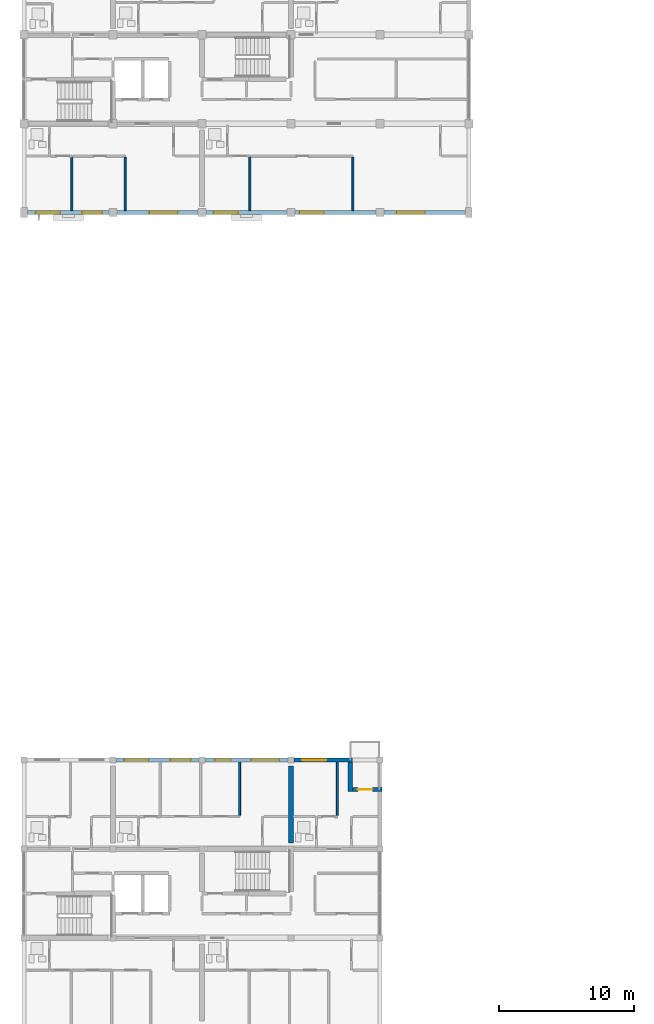
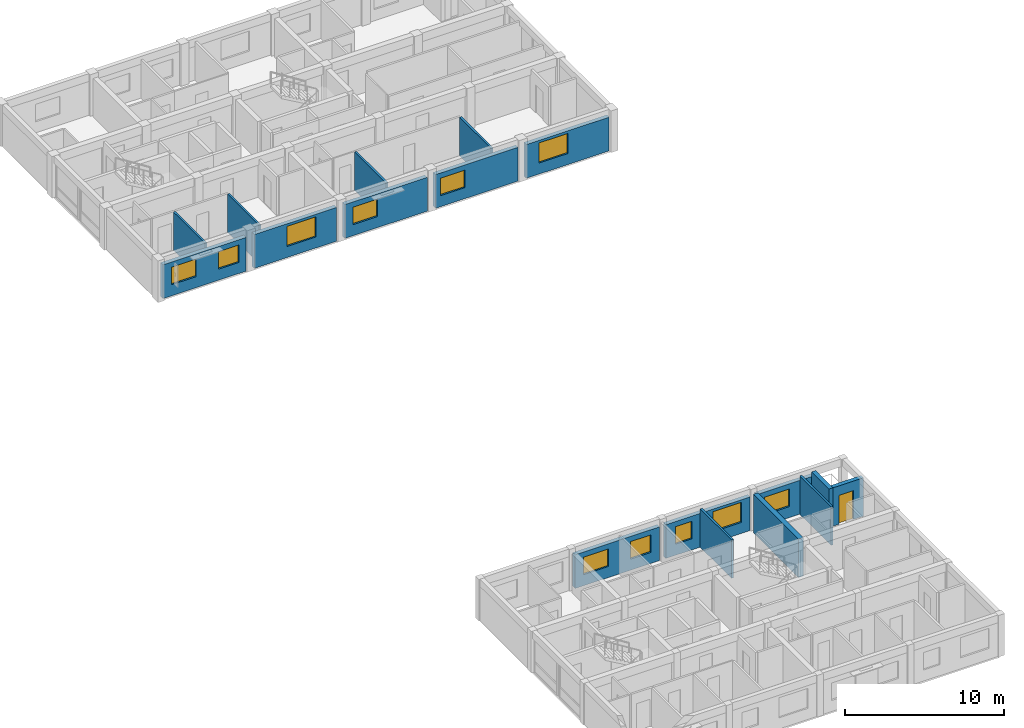
# One storey, part 29 of 52: 17 walls, 11 windows, 1 door, 12 openings.
"""IFC4 building model written with IfcOpenShell, lengths in metres."""

from ifc_helpers import new_model, si_unit, direction, frame, frame_2d, origin, place, context, subcontext, project, spatial, rectangle, extrude, material, layer, layer_set, type_object, element, fill, save


model = new_model("IFC4")

# Units and contexts
model_context = context("Model", 3, precision=1e-05, world=origin(), true_north=direction((0.0, 1.0)))
body_context = subcontext(model_context, "Body", "Model", "MODEL_VIEW")
ifc_project = project(units=[si_unit("LENGTHUNIT", "METRE"), si_unit("AREAUNIT", "SQUARE_METRE"), si_unit("VOLUMEUNIT", "CUBIC_METRE"), si_unit("PLANEANGLEUNIT", "RADIAN"), si_unit("MASSUNIT", "GRAM", prefix="KILO")], contexts=[model_context])

# Site, building, storey
site_placement = place(None, origin())
site = spatial("IfcSite", under=ifc_project, at=site_placement, CompositionType="ELEMENT")
building_placement = place(site_placement, origin())
building = spatial("IfcBuilding", under=site, at=building_placement, Name="Kernevlak Ridge Housing Community", CompositionType="ELEMENT")
storey_placement = place(building_placement, frame((0.0, 0.0, 11.60009765625)))
storey = spatial("IfcBuildingStorey", under=building, at=storey_placement, Name="L03", CompositionType="ELEMENT", Elevation=11.60009765625)

# Wall, openings, windows
ifc_material_1 = material(Name="Concrete block masonry M10", Category="masonry")
ifc_layer_1 = layer(ifc_material_1, 0.300048828125, Name="Concrete block masonry M10")
ifc_layer_set_1 = layer_set([ifc_layer_1], Name="Concrete block masonry M10")
wall_type_1 = type_object("IfcWallType", Name="EW-01", PredefinedType="STANDARD", material=ifc_layer_set_1)
wall_1_placement = place(storey_placement, frame((15.85009765625, 76.0, 0.0), z_axis=(0.0, 0.0, 1.0), x_axis=(1.0, 0.0, 0.0)))
wall_1 = element("IfcWall", 1, at=wall_1_placement, inside=storey, type_object=wall_type_1, Name="Exterior wall EW-01 L03 45", PredefinedType="STANDARD", context=body_context, shape_type="SweptSolid", body=[
    extrude(rectangle(XDim=6.0498046875, YDim=0.300048828125, at=frame_2d((3.02490234375, 0.0))), origin(), (0.0, 0.0, 1.0), 2.599853515625),
])
opening_1_placement = place(wall_1_placement, frame((0.625, 0.0, 0.85009765625)))
opening_1 = element("IfcOpeningElement", 2, at=opening_1_placement, cuts=wall_1, Name="Opening WT-03", PredefinedType="OPENING", context=body_context, shape_type="SweptSolid", body=[
    extrude(rectangle(XDim=1.800048828125, YDim=1.35009765625, at=frame_2d((0.89990234375, 0.675048828125))), frame((0.0, 0.159912109375, 0.0), z_axis=(0.0, -1.0, 0.0), x_axis=(1.0, 0.0, 0.0)), (0.0, 0.0, 1.0), 0.320068359375),
])
opening_2_placement = place(wall_1_placement, frame((4.050048828125, 0.0, 0.85009765625)))
opening_2 = element("IfcOpeningElement", 3, at=opening_2_placement, cuts=wall_1, Name="Opening WT-02", PredefinedType="OPENING", context=body_context, shape_type="SweptSolid", body=[
    extrude(rectangle(XDim=1.5, YDim=1.35009765625, at=frame_2d((0.75, 0.675048828125))), frame((0.0, 0.159912109375, 0.0), z_axis=(0.0, -1.0, 0.0), x_axis=(1.0, 0.0, 0.0)), (0.0, 0.0, 1.0), 0.320068359375),
])
ifc_material_2 = material(Name="Aluminium EN AW-6060 anodised and laminated glass", Category="aluminium")
window_type_1 = type_object("IfcWindowType", Name="WT-02", PartitioningType="SINGLE_PANEL", PredefinedType="WINDOW", material=ifc_material_2)
window_1_placement = place(opening_2_placement, origin())
window_1 = element("IfcWindow", 4, at=window_1_placement, inside=storey, type_object=window_type_1, Name="Window WT-02 L03 34", OverallHeight=1.35009765625, OverallWidth=1.5, PartitioningType="SINGLE_PANEL", PredefinedType="WINDOW", context=body_context, shape_type="SweptSolid", body=[
    extrude(rectangle(XDim=1.5, YDim=1.35009765625, at=frame_2d((0.75, 0.675048828125))), frame((0.0, 0.030029296875, 0.0), z_axis=(0.0, -1.0, 0.0), x_axis=(1.0, 0.0, 0.0)), (0.0, 0.0, 1.0), 0.06005859375),
])
fill(opening_2, window_1)
window_type_2 = type_object("IfcWindowType", Name="WT-03", PartitioningType="SINGLE_PANEL", PredefinedType="WINDOW", material=ifc_material_2)
window_2_placement = place(opening_1_placement, origin())
window_2 = element("IfcWindow", 5, at=window_2_placement, inside=storey, type_object=window_type_2, Name="Window WT-03 L03 33", OverallHeight=1.35009765625, OverallWidth=1.800048828125, PartitioningType="SINGLE_PANEL", PredefinedType="WINDOW", context=body_context, shape_type="SweptSolid", body=[
    extrude(rectangle(XDim=1.800048828125, YDim=1.35009765625, at=frame_2d((0.89990234375, 0.675048828125))), frame((0.0, 0.030029296875, 0.0), z_axis=(0.0, -1.0, 0.0), x_axis=(1.0, 0.0, 0.0)), (0.0, 0.0, 1.0), 0.06005859375),
])
fill(opening_1, window_2)

# Wall, opening, window
wall_2_placement = place(storey_placement, frame((22.5, 76.0, 0.0), z_axis=(0.0, 0.0, 1.0), x_axis=(1.0, 0.0, 0.0)))
wall_2 = element("IfcWall", 6, at=wall_2_placement, inside=storey, type_object=wall_type_1, Name="Exterior wall EW-01 L03 46", PredefinedType="STANDARD", context=body_context, shape_type="SweptSolid", body=[
    extrude(rectangle(XDim=6.0, YDim=0.300048828125, at=frame_2d((3.0, 0.0))), origin(), (0.0, 0.0, 1.0), 2.599853515625),
])
opening_3_placement = place(wall_2_placement, frame((2.39599609375, 0.0, 0.85009765625)))
opening_3 = element("IfcOpeningElement", 7, at=opening_3_placement, cuts=wall_2, Name="Opening WT-05", PredefinedType="OPENING", context=body_context, shape_type="SweptSolid", body=[
    extrude(rectangle(XDim=2.10009765625, YDim=1.550048828125, at=frame_2d((1.050048828125, 0.77490234375))), frame((0.0, 0.159912109375, 0.0), z_axis=(0.0, -1.0, 0.0), x_axis=(1.0, 0.0, 0.0)), (0.0, 0.0, 1.0), 0.320068359375),
])
window_type_3 = type_object("IfcWindowType", Name="WT-05", PartitioningType="SINGLE_PANEL", PredefinedType="WINDOW", material=ifc_material_2)
window_3_placement = place(opening_3_placement, origin())
window_3 = element("IfcWindow", 8, at=window_3_placement, inside=storey, type_object=window_type_3, Name="Window WT-05 L03 35", OverallHeight=1.550048828125, OverallWidth=2.10009765625, PartitioningType="SINGLE_PANEL", PredefinedType="WINDOW", context=body_context, shape_type="SweptSolid", body=[
    extrude(rectangle(XDim=2.10009765625, YDim=1.550048828125, at=frame_2d((1.050048828125, 0.77490234375))), frame((0.0, 0.030029296875, 0.0), z_axis=(0.0, -1.0, 0.0), x_axis=(1.0, 0.0, 0.0)), (0.0, 0.0, 1.0), 0.06005859375),
])
fill(opening_3, window_3)

wall_3_placement = place(storey_placement, frame((29.10009765625, 76.0, 0.0), z_axis=(0.0, 0.0, 1.0), x_axis=(1.0, 0.0, 0.0)))
wall_3 = element("IfcWall", 9, at=wall_3_placement, inside=storey, type_object=wall_type_1, Name="Exterior wall EW-01 L03 47", PredefinedType="STANDARD", context=body_context, shape_type="SweptSolid", body=[
    extrude(rectangle(XDim=6.0, YDim=0.300048828125, at=frame_2d((3.0, 0.0))), origin(), (0.0, 0.0, 1.0), 2.599853515625),
])
opening_4_placement = place(wall_3_placement, frame((0.574951171875, 0.0, 0.85009765625)))
opening_4 = element("IfcOpeningElement", 10, at=opening_4_placement, cuts=wall_3, Name="Opening WT-03", PredefinedType="OPENING", context=body_context, shape_type="SweptSolid", body=[
    extrude(rectangle(XDim=1.800048828125, YDim=1.35009765625, at=frame_2d((0.89990234375, 0.675048828125))), frame((0.0, 0.159912109375, 0.0), z_axis=(0.0, -1.0, 0.0), x_axis=(1.0, 0.0, 0.0)), (0.0, 0.0, 1.0), 0.320068359375),
])
window_4_placement = place(opening_4_placement, origin())
window_4 = element("IfcWindow", 11, at=window_4_placement, inside=storey, type_object=window_type_2, Name="Window WT-03 L03 36", OverallHeight=1.35009765625, OverallWidth=1.800048828125, PartitioningType="SINGLE_PANEL", PredefinedType="WINDOW", context=body_context, shape_type="SweptSolid", body=[
    extrude(rectangle(XDim=1.800048828125, YDim=1.35009765625, at=frame_2d((0.89990234375, 0.675048828125))), frame((0.0, 0.030029296875, 0.0), z_axis=(0.0, -1.0, 0.0), x_axis=(1.0, 0.0, 0.0)), (0.0, 0.0, 1.0), 0.06005859375),
])
fill(opening_4, window_4)

wall_4_placement = place(storey_placement, frame((35.699951171875, 76.0, 0.0), z_axis=(0.0, 0.0, 1.0), x_axis=(1.0, 0.0, 0.0)))
wall_4 = element("IfcWall", 12, at=wall_4_placement, inside=storey, type_object=wall_type_1, Name="Exterior wall EW-01 L03 48", PredefinedType="STANDARD", context=body_context, shape_type="SweptSolid", body=[
    extrude(rectangle(XDim=6.0, YDim=0.300048828125, at=frame_2d((3.0, 0.0))), origin(), (0.0, 0.0, 1.0), 2.599853515625),
])
opening_5_placement = place(wall_4_placement, frame((0.35009765625, 0.0, 0.85009765625)))
opening_5 = element("IfcOpeningElement", 13, at=opening_5_placement, cuts=wall_4, Name="Opening WT-03", PredefinedType="OPENING", context=body_context, shape_type="SweptSolid", body=[
    extrude(rectangle(XDim=1.800048828125, YDim=1.35009765625, at=frame_2d((0.89990234375, 0.675048828125))), frame((0.0, 0.159912109375, 0.0), z_axis=(0.0, -1.0, 0.0), x_axis=(1.0, 0.0, 0.0)), (0.0, 0.0, 1.0), 0.320068359375),
])
window_5_placement = place(opening_5_placement, origin())
window_5 = element("IfcWindow", 14, at=window_5_placement, inside=storey, type_object=window_type_2, Name="Window WT-03 L03 37", OverallHeight=1.35009765625, OverallWidth=1.800048828125, PartitioningType="SINGLE_PANEL", PredefinedType="WINDOW", context=body_context, shape_type="SweptSolid", body=[
    extrude(rectangle(XDim=1.800048828125, YDim=1.35009765625, at=frame_2d((0.89990234375, 0.675048828125))), frame((0.0, 0.030029296875, 0.0), z_axis=(0.0, -1.0, 0.0), x_axis=(1.0, 0.0, 0.0)), (0.0, 0.0, 1.0), 0.06005859375),
])
fill(opening_5, window_5)

wall_5_placement = place(storey_placement, frame((42.300048828125, 76.0, 0.0), z_axis=(0.0, 0.0, 1.0), x_axis=(1.0, 0.0, 0.0)))
wall_5 = element("IfcWall", 15, at=wall_5_placement, inside=storey, type_object=wall_type_1, Name="Exterior wall EW-01 L03 49", PredefinedType="STANDARD", context=body_context, shape_type="SweptSolid", body=[
    extrude(rectangle(XDim=6.050048828125, YDim=0.300048828125, at=frame_2d((3.02490234375, 0.0))), origin(), (0.0, 0.0, 1.0), 2.599853515625),
])
opening_6_placement = place(wall_5_placement, frame((0.944091796875, 0.0, 0.85009765625)))
opening_6 = element("IfcOpeningElement", 16, at=opening_6_placement, cuts=wall_5, Name="Opening WT-05", PredefinedType="OPENING", context=body_context, shape_type="SweptSolid", body=[
    extrude(rectangle(XDim=2.10009765625, YDim=1.550048828125, at=frame_2d((1.050048828125, 0.77490234375))), frame((0.0, 0.159912109375, 0.0), z_axis=(0.0, -1.0, 0.0), x_axis=(1.0, 0.0, 0.0)), (0.0, 0.0, 1.0), 0.320068359375),
])
window_6_placement = place(opening_6_placement, origin())
window_6 = element("IfcWindow", 17, at=window_6_placement, inside=storey, type_object=window_type_3, Name="Window WT-05 L03 38", OverallHeight=1.550048828125, OverallWidth=2.10009765625, PartitioningType="SINGLE_PANEL", PredefinedType="WINDOW", context=body_context, shape_type="SweptSolid", body=[
    extrude(rectangle(XDim=2.10009765625, YDim=1.550048828125, at=frame_2d((1.050048828125, 0.77490234375))), frame((0.0, 0.030029296875, 0.0), z_axis=(0.0, -1.0, 0.0), x_axis=(1.0, 0.0, 0.0)), (0.0, 0.0, 1.0), 0.06005859375),
])
fill(opening_6, window_6)

# Wall, openings, windows
wall_6_placement = place(storey_placement, frame((22.425048828125, 35.39990234375, 0.0), z_axis=(0.0, 0.0, 1.0), x_axis=(1.0, 0.0, 0.0)))
wall_6 = element("IfcWall", 18, at=wall_6_placement, inside=storey, type_object=wall_type_1, Name="Exterior wall EW-01 L03 758", PredefinedType="STANDARD", context=body_context, shape_type="SweptSolid", body=[
    extrude(rectangle(XDim=6.14990234375, YDim=0.300048828125, at=frame_2d((3.074951171875, 0.0))), origin(), (0.0, 0.0, 1.0), 2.599853515625),
])
opening_7_placement = place(wall_6_placement, frame((0.625, 0.0, 0.85009765625)))
opening_7 = element("IfcOpeningElement", 19, at=opening_7_placement, cuts=wall_6, Name="Opening WT-03", PredefinedType="OPENING", context=body_context, shape_type="SweptSolid", body=[
    extrude(rectangle(XDim=1.800048828125, YDim=1.35009765625, at=frame_2d((0.89990234375, 0.675048828125))), frame((0.0, 0.159912109375, 0.0), z_axis=(0.0, -1.0, 0.0), x_axis=(1.0, 0.0, 0.0)), (0.0, 0.0, 1.0), 0.320068359375),
])
opening_8_placement = place(wall_6_placement, frame((4.02490234375, 0.0, 0.85009765625)))
opening_8 = element("IfcOpeningElement", 20, at=opening_8_placement, cuts=wall_6, Name="Opening WT-02", PredefinedType="OPENING", context=body_context, shape_type="SweptSolid", body=[
    extrude(rectangle(XDim=1.5, YDim=1.35009765625, at=frame_2d((0.75, 0.675048828125))), frame((0.0, 0.159912109375, 0.0), z_axis=(0.0, -1.0, 0.0), x_axis=(1.0, 0.0, 0.0)), (0.0, 0.0, 1.0), 0.320068359375),
])
window_7_placement = place(opening_8_placement, origin())
window_7 = element("IfcWindow", 21, at=window_7_placement, inside=storey, type_object=window_type_1, Name="Window WT-02 L03 631", OverallHeight=1.35009765625, OverallWidth=1.5, PartitioningType="SINGLE_PANEL", PredefinedType="WINDOW", context=body_context, shape_type="SweptSolid", body=[
    extrude(rectangle(XDim=1.5, YDim=1.35009765625, at=frame_2d((0.75, 0.675048828125))), frame((0.0, 0.030029296875, 0.0), z_axis=(0.0, -1.0, 0.0), x_axis=(1.0, 0.0, 0.0)), (0.0, 0.0, 1.0), 0.06005859375),
])
fill(opening_8, window_7)
window_8_placement = place(opening_7_placement, origin())
window_8 = element("IfcWindow", 22, at=window_8_placement, inside=storey, type_object=window_type_2, Name="Window WT-03 L03 630", OverallHeight=1.35009765625, OverallWidth=1.800048828125, PartitioningType="SINGLE_PANEL", PredefinedType="WINDOW", context=body_context, shape_type="SweptSolid", body=[
    extrude(rectangle(XDim=1.800048828125, YDim=1.35009765625, at=frame_2d((0.89990234375, 0.675048828125))), frame((0.0, 0.030029296875, 0.0), z_axis=(0.0, -1.0, 0.0), x_axis=(1.0, 0.0, 0.0)), (0.0, 0.0, 1.0), 0.06005859375),
])
fill(opening_7, window_8)

wall_7_placement = place(storey_placement, frame((29.02490234375, 35.39990234375, 0.0), z_axis=(0.0, 0.0, 1.0), x_axis=(1.0, 0.0, 0.0)))
wall_7 = element("IfcWall", 23, at=wall_7_placement, inside=storey, type_object=wall_type_1, Name="Exterior wall EW-01 L03 759", PredefinedType="STANDARD", context=body_context, shape_type="SweptSolid", body=[
    extrude(rectangle(XDim=6.150146484375, YDim=0.300048828125, at=frame_2d((3.0751953125, 0.0))), origin(), (0.0, 0.0, 1.0), 2.599853515625),
])
opening_9_placement = place(wall_7_placement, frame((0.72509765625, 0.0, 0.85009765625)))
opening_9 = element("IfcOpeningElement", 24, at=opening_9_placement, cuts=wall_7, Name="Opening WT-01", PredefinedType="OPENING", context=body_context, shape_type="SweptSolid", body=[
    extrude(rectangle(XDim=1.199951171875, YDim=1.35009765625, at=frame_2d((0.60009765625, 0.675048828125))), frame((0.0, 0.159912109375, 0.0), z_axis=(0.0, -1.0, 0.0), x_axis=(1.0, 0.0, 0.0)), (0.0, 0.0, 1.0), 0.320068359375),
])
opening_10_placement = place(wall_7_placement, frame((3.425048828125, 0.0, 0.85009765625)))
opening_10 = element("IfcOpeningElement", 25, at=opening_10_placement, cuts=wall_7, Name="Opening WT-05", PredefinedType="OPENING", context=body_context, shape_type="SweptSolid", body=[
    extrude(rectangle(XDim=2.10009765625, YDim=1.550048828125, at=frame_2d((1.050048828125, 0.77490234375))), frame((0.0, 0.159912109375, 0.0), z_axis=(0.0, -1.0, 0.0), x_axis=(1.0, 0.0, 0.0)), (0.0, 0.0, 1.0), 0.320068359375),
])
window_type_4 = type_object("IfcWindowType", Name="WT-01", PartitioningType="SINGLE_PANEL", PredefinedType="WINDOW", material=ifc_material_2)
window_9_placement = place(opening_9_placement, origin())
window_9 = element("IfcWindow", 26, at=window_9_placement, inside=storey, type_object=window_type_4, Name="Window WT-01 L03 632", OverallHeight=1.35009765625, OverallWidth=1.199951171875, PartitioningType="SINGLE_PANEL", PredefinedType="WINDOW", context=body_context, shape_type="SweptSolid", body=[
    extrude(rectangle(XDim=1.199951171875, YDim=1.35009765625, at=frame_2d((0.60009765625, 0.675048828125))), frame((0.0, 0.030029296875, 0.0), z_axis=(0.0, -1.0, 0.0), x_axis=(1.0, 0.0, 0.0)), (0.0, 0.0, 1.0), 0.06005859375),
])
fill(opening_9, window_9)
window_10_placement = place(opening_10_placement, origin())
window_10 = element("IfcWindow", 27, at=window_10_placement, inside=storey, type_object=window_type_3, Name="Window WT-05 L03 633", OverallHeight=1.550048828125, OverallWidth=2.10009765625, PartitioningType="SINGLE_PANEL", PredefinedType="WINDOW", context=body_context, shape_type="SweptSolid", body=[
    extrude(rectangle(XDim=2.10009765625, YDim=1.550048828125, at=frame_2d((1.050048828125, 0.77490234375))), frame((0.0, 0.030029296875, 0.0), z_axis=(0.0, -1.0, 0.0), x_axis=(1.0, 0.0, 0.0)), (0.0, 0.0, 1.0), 0.06005859375),
])
fill(opening_10, window_10)

# Wall, opening, window
wall_8_placement = place(storey_placement, frame((35.625, 35.39990234375, 0.0), z_axis=(0.0, 0.0, 1.0), x_axis=(1.0, 0.0, 0.0)))
wall_8 = element("IfcWall", 28, at=wall_8_placement, inside=storey, type_object=wall_type_1, Name="Exterior wall EW-01 L03 760", PredefinedType="STANDARD", context=body_context, shape_type="SweptSolid", body=[
    extrude(rectangle(XDim=4.324951171875, YDim=0.300048828125, at=frame_2d((2.16259765625, 0.0))), origin(), (0.0, 0.0, 1.0), 2.599853515625),
])
opening_11_placement = place(wall_8_placement, frame((0.60009765625, 0.0, 0.85009765625)))
opening_11 = element("IfcOpeningElement", 29, at=opening_11_placement, cuts=wall_8, Name="Opening WT-03", PredefinedType="OPENING", context=body_context, shape_type="SweptSolid", body=[
    extrude(rectangle(XDim=1.800048828125, YDim=1.35009765625, at=frame_2d((0.89990234375, 0.675048828125))), frame((0.0, 0.159912109375, 0.0), z_axis=(0.0, -1.0, 0.0), x_axis=(1.0, 0.0, 0.0)), (0.0, 0.0, 1.0), 0.320068359375),
])
window_11_placement = place(opening_11_placement, origin())
window_11 = element("IfcWindow", 30, at=window_11_placement, inside=storey, type_object=window_type_2, Name="Window WT-03 L03 634", OverallHeight=1.35009765625, OverallWidth=1.800048828125, PartitioningType="SINGLE_PANEL", PredefinedType="WINDOW", context=body_context, shape_type="SweptSolid", body=[
    extrude(rectangle(XDim=1.800048828125, YDim=1.35009765625, at=frame_2d((0.89990234375, 0.675048828125))), frame((0.0, 0.030029296875, 0.0), z_axis=(0.0, -1.0, 0.0), x_axis=(1.0, 0.0, 0.0)), (0.0, 0.0, 1.0), 0.06005859375),
])
fill(opening_11, window_11)

# Wall
wall_9_placement = place(storey_placement, frame((39.800048828125, 35.25, 0.0), z_axis=(0.0, 0.0, 1.0), x_axis=(0.0, -1.0, 0.0)))
element("IfcWall", 31, at=wall_9_placement, inside=storey, type_object=wall_type_1, Name="Exterior wall EW-01 L03 761", PredefinedType="STANDARD", context=body_context, shape_type="SweptSolid", body=[
    extrude(rectangle(XDim=2.199951171875, YDim=0.300048828125, at=frame_2d((1.10009765625, 0.0))), origin(), (0.0, 0.0, 1.0), 2.9599609375),
])

# Wall, opening, door
wall_10_placement = place(storey_placement, frame((39.949951171875, 33.199951171875, 0.0), z_axis=(0.0, 0.0, 1.0), x_axis=(1.0, 0.0, 0.0)))
wall_10 = element("IfcWall", 32, at=wall_10_placement, inside=storey, type_object=wall_type_1, Name="Exterior wall EW-01 L03 762", PredefinedType="STANDARD", context=body_context, shape_type="SweptSolid", body=[
    extrude(rectangle(XDim=2.199951171875, YDim=0.300048828125, at=frame_2d((1.10009765625, 0.0))), origin(), (0.0, 0.0, 1.0), 2.9599609375),
])
opening_12_placement = place(wall_10_placement, frame((0.409912109375, 0.0, 0.0)))
opening_12 = element("IfcOpeningElement", 33, at=opening_12_placement, cuts=wall_10, Name="Opening E610", PredefinedType="OPENING", context=body_context, shape_type="SweptSolid", body=[
    extrude(rectangle(XDim=1.080078125, YDim=2.219970703125, at=frame_2d((0.5400390625, 1.10986328125))), frame((0.0, 0.159912109375, 0.0), z_axis=(0.0, -1.0, 0.0), x_axis=(1.0, 0.0, 0.0)), (0.0, 0.0, 1.0), 0.320068359375),
])
ifc_material_3 = material(Name="Aluminium EN AW-6060 and laminated safety glass", Category="aluminium")
door_type = type_object("IfcDoorType", Name="DT-34", OperationType="NOTDEFINED", PredefinedType="DOOR", material=ifc_material_3)
door_placement = place(opening_12_placement, origin())
door = element("IfcDoor", 34, at=door_placement, inside=storey, type_object=door_type, Name="Flat D0323 corner balcony glazed door E610", OperationType="SINGLE_SWING_LEFT", OverallHeight=2.219970703125, OverallWidth=1.080078125, PredefinedType="DOOR", context=body_context, shape_type="SweptSolid", body=[
    extrude(rectangle(XDim=1.080078125, YDim=2.219970703125, at=frame_2d((0.5400390625, 1.10986328125))), frame((0.0, 0.02490234375, 0.0), z_axis=(0.0, -1.0, 0.0), x_axis=(1.0, 0.0, 0.0)), (0.0, 0.0, 1.0), 0.050048828125),
])
fill(opening_12, door)

# Walls
ifc_layer_2 = layer(ifc_material_1, 0.14501953125, Name="Concrete block masonry M10")
ifc_layer_set_2 = layer_set([ifc_layer_2], Name="Concrete block masonry M10")
wall_type_2 = type_object("IfcWallType", Name="PW-03", PredefinedType="PARTITIONING", material=ifc_layer_set_2)
for number, where, z_axis, x_axis, name in (
    (35, (19.14990234375, 80.117431640625, 0.0), (0.0, 0.0, 1.0), (0.0, -1.0, 0.0), "Interior wall PW-03 WAL-INT-L03-0218"),
    (36, (23.092041015625, 80.117431640625, 0.0), (0.0, 0.0, 1.0), (0.0, -1.0, 0.0), "Interior wall PW-03 WAL-INT-L03-0220"),
):
    element("IfcWall", number, at=place(storey_placement, frame(where, z_axis=z_axis, x_axis=x_axis)), inside=storey, type_object=wall_type_2, Name=name, PredefinedType="PARTITIONING", context=body_context, shape_type="SweptSolid", body=[
        extrude(rectangle(XDim=3.95751953125, YDim=0.14501953125, at=frame_2d((1.978759765625, 0.0))), origin(), (0.0, 0.0, 1.0), 2.9599609375),
    ])
wall_11_placement = place(storey_placement, frame((32.35009765625, 80.1201171875, 0.0), z_axis=(0.0, 0.0, 1.0), x_axis=(0.0, -1.0, 0.0)))
element("IfcWall", 37, at=wall_11_placement, inside=storey, type_object=wall_type_2, Name="Interior wall PW-03 WAL-INT-L03-0227", PredefinedType="PARTITIONING", context=body_context, shape_type="SweptSolid", body=[
    extrude(rectangle(XDim=3.960205078125, YDim=0.14501953125, at=frame_2d((1.97998046875, 0.0))), origin(), (0.0, 0.0, 1.0), 2.9599609375),
])
wall_12_placement = place(storey_placement, frame((39.988037109375, 80.117431640625, 0.0), z_axis=(0.0, 0.0, 1.0), x_axis=(0.0, -1.0, 0.0)))
element("IfcWall", 38, at=wall_12_placement, inside=storey, type_object=wall_type_2, Name="Interior wall PW-03 WAL-INT-L03-0229", PredefinedType="PARTITIONING", context=body_context, shape_type="SweptSolid", body=[
    extrude(rectangle(XDim=3.95751953125, YDim=0.14501953125, at=frame_2d((1.978759765625, 0.0))), origin(), (0.0, 0.0, 1.0), 2.9599609375),
])
wall_13_placement = place(storey_placement, frame((31.60009765625, 31.280029296875, 0.0), z_axis=(0.0, 0.0, 1.0), x_axis=(0.0, 1.0, 0.0)))
element("IfcWall", 39, at=wall_13_placement, inside=storey, type_object=wall_type_2, Name="Interior wall PW-03 WAL-INT-L03-3167", PredefinedType="PARTITIONING", context=body_context, shape_type="SweptSolid", body=[
    extrude(rectangle(XDim=3.9599609375, YDim=0.14501953125, at=frame_2d((1.97998046875, 0.0))), origin(), (0.0, 0.0, 1.0), 2.9599609375),
])
wall_14_placement = place(storey_placement, frame((38.85009765625, 31.282470703125, 0.0), z_axis=(0.0, 0.0, 1.0), x_axis=(0.0, 1.0, 0.0)))
element("IfcWall", 40, at=wall_14_placement, inside=storey, type_object=wall_type_2, Name="Interior wall PW-03 WAL-INT-L03-3174", PredefinedType="PARTITIONING", context=body_context, shape_type="SweptSolid", body=[
    extrude(rectangle(XDim=3.95751953125, YDim=0.14501953125, at=frame_2d((1.978759765625, 0.0))), origin(), (0.0, 0.0, 1.0), 2.9599609375),
])
ifc_material_4 = material(Name="Concrete C40/50", Category="concrete")
ifc_layer_3 = layer(ifc_material_4, 0.35009765625, Name="Concrete C40/50")
ifc_layer_set_3 = layer_set([ifc_layer_3], Name="Concrete C40/50")
wall_type_3 = type_object("IfcWallType", Name="SW-01", PredefinedType="SHEAR", material=ifc_layer_set_3)
wall_15_placement = place(storey_placement, frame((35.39990234375, 29.25, 0.0), z_axis=(0.0, 0.0, 1.0), x_axis=(0.0, 1.0, 0.0)))
element("IfcWall", 41, at=wall_15_placement, inside=storey, type_object=wall_type_3, Name="Shear wall SW-01 Block D L03 546", PredefinedType="SHEAR", context=body_context, shape_type="SweptSolid", body=[
    extrude(rectangle(XDim=5.699951171875, YDim=0.35009765625, at=frame_2d((2.85009765625, 0.0))), origin(), (0.0, 0.0, 1.0), 2.9599609375),
])

save(model, "model.ifc")
